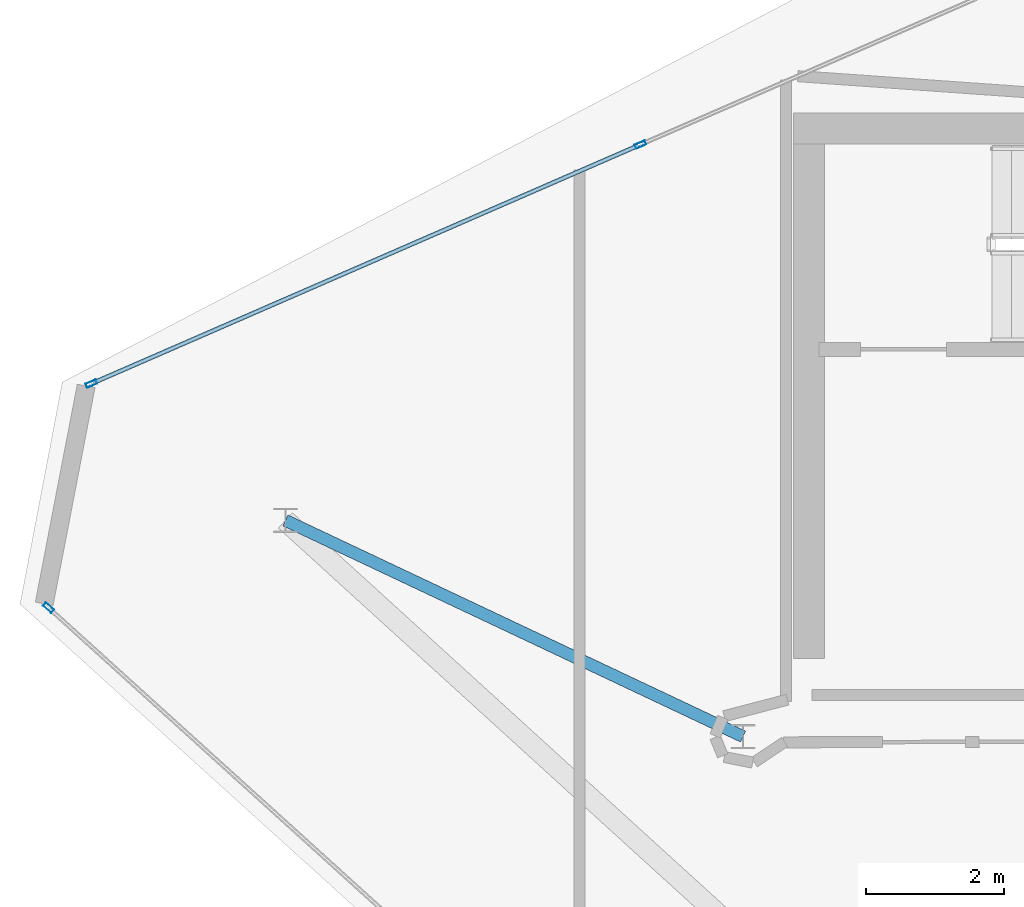
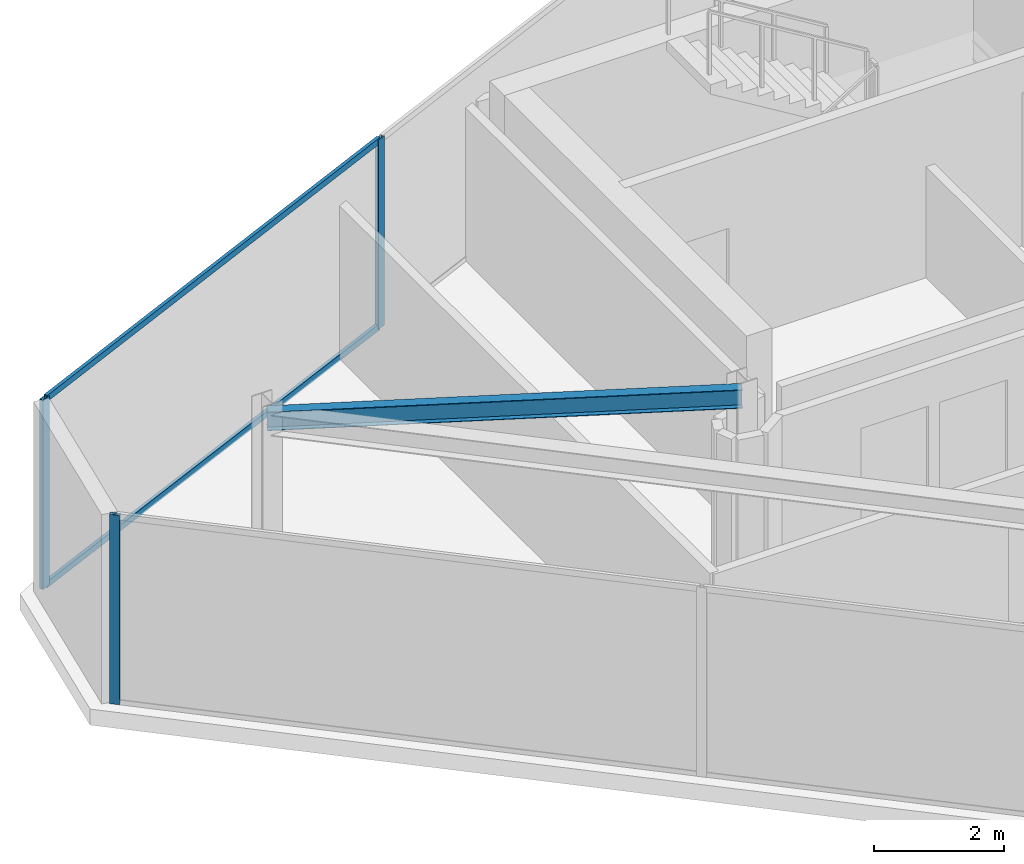
# One storey, part 7 of 14: 5 members, 1 beam, 2 elements without a shape of their own.
"""IFC4 building model written with IfcOpenShell, lengths in metres."""

from ifc_helpers import new_model, si_unit, direction, frame, origin, origin_2d, place, context, subcontext, project, spatial, hollow_rectangle, i_section, extrude, material, layer, layer_set, material_profile, profile_set, type_object, element, aggregate, save


model = new_model("IFC4")

# Units and contexts
model_context = context("Model", 3, precision=1e-05, world=origin(), true_north=direction((0.0, 1.0)))
body_context = subcontext(model_context, "Body", "Model", "MODEL_VIEW")
ifc_project = project(units=[si_unit("LENGTHUNIT", "METRE"), si_unit("AREAUNIT", "SQUARE_METRE"), si_unit("VOLUMEUNIT", "CUBIC_METRE"), si_unit("PLANEANGLEUNIT", "RADIAN"), si_unit("MASSUNIT", "GRAM", prefix="KILO")], contexts=[model_context])

# Site, building, storey
site_placement = place(None, origin())
site = spatial("IfcSite", under=ifc_project, at=site_placement, CompositionType="ELEMENT")
building_placement = place(site_placement, origin())
building = spatial("IfcBuilding", under=site, at=building_placement, Name="Qianvela Tower", CompositionType="ELEMENT")
storey_placement = place(building_placement, frame((0.0, 0.0, 356.300048828125)))
storey = spatial("IfcBuildingStorey", under=building, at=storey_placement, Name="L92", CompositionType="ELEMENT", Elevation=356.300048828125)

# Beam
ifc_material_1 = material(Name="Steel Q355B", Category="steel")
ifc_material_profile_1 = material_profile(ifc_material_1, i_section(OverallWidth=0.175048828125, OverallDepth=0.35009765625, WebThickness=0.007080078125, FlangeThickness=0.010986328125, at=origin_2d()), Name="HN350x175x7x11")
ifc_profile_set_1 = profile_set([ifc_material_profile_1], Name="Steel Q355B")
beam_type = type_object("IfcBeamType", Name="BM-HN350-JOIST", PredefinedType="JOIST", material=ifc_profile_set_1)
beam_placement = place(storey_placement, frame((28.60009765625, 23.85009765625, 3.373046875), z_axis=(-0.904234337574, 0.427036605868, 0.0), x_axis=(-0.427036605868, -0.904234337574, 0.0)))
element("IfcBeam", 1, at=beam_placement, inside=storey, type_object=beam_type, Name="L92 Crown Radial Floor Girder 3", PredefinedType="JOIST", context=body_context, shape_type="SweptSolid", body=[
    extrude(i_section(OverallWidth=0.175048828125, OverallDepth=0.35009765625, WebThickness=0.007080078125, FlangeThickness=0.010986328125, at=origin_2d()), origin(), (0.0, 0.0, 1.0), 7.320068359375),
])

# Curtain wall, members
ifc_material_2 = material(Name="Anodised Architectural Aluminium and Low-E Glass", Category="aluminium")
ifc_layer = layer(ifc_material_2, 0.159912109375)
ifc_layer_set = layer_set([ifc_layer], Name="Anodised Architectural Aluminium and Low-E Glass")
curtain_wall_type = type_object("IfcCurtainWallType", Name="CW-CROWN", PredefinedType="USERDEFINED", material=ifc_layer_set)
curtain_wall_1_placement = place(storey_placement, origin())
curtain_wall_1 = element("IfcCurtainWall", 2, at=curtain_wall_1_placement, inside=storey, type_object=curtain_wall_type, Name="L92 CW-CROWN Curtain Wall 02", ObjectType="CURTAIN_WALL_SYSTEM", PredefinedType="USERDEFINED")
ifc_material_3 = material(Name="Anodised Architectural Aluminium 6063-T6", Category="aluminium")
ifc_material_profile_2 = material_profile(ifc_material_3, hollow_rectangle(XDim=0.06494140625, YDim=0.159912109375, WallThickness=0.0048828125, at=origin_2d()), Name="ALU-MULL-65x160")
ifc_profile_set_2 = profile_set([ifc_material_profile_2], Name="Anodised Architectural Aluminium 6063-T6")
member_type_1 = type_object("IfcMemberType", Name="CW-CROWN-MULL", PredefinedType="MULLION", material=ifc_profile_set_2)
member_1_placement = place(storey_placement, frame((27.11572265625, 32.411865234375, 0.0), z_axis=(0.0, 0.0, 1.0), x_axis=(0.399215073165, -0.916857309159, 0.0)))
member_1 = element("IfcMember", 3, at=member_1_placement, type_object=member_type_1, Name="CW-8 mullion 4", PredefinedType="MULLION", context=body_context, shape_type="SweptSolid", body=[
    extrude(hollow_rectangle(XDim=0.06494140625, YDim=0.159912109375, WallThickness=0.0048828125, at=origin_2d()), origin(), (0.0, 0.0, 1.0), 3.550048828125),
])
member_2_placement = place(storey_placement, frame((19.174072265625, 28.953857421875, 0.0), z_axis=(0.0, 0.0, 1.0), x_axis=(0.399215073165, -0.916857309159, 0.0)))
member_2 = element("IfcMember", 4, at=member_2_placement, type_object=member_type_1, Name="CW-8 mullion 5", PredefinedType="MULLION", context=body_context, shape_type="SweptSolid", body=[
    extrude(hollow_rectangle(XDim=0.06494140625, YDim=0.159912109375, WallThickness=0.0048828125, at=origin_2d()), origin(), (0.0, 0.0, 1.0), 3.550048828125),
])

# Curtain wall, member
curtain_wall_2_placement = place(storey_placement, origin())
curtain_wall_2 = element("IfcCurtainWall", 5, at=curtain_wall_2_placement, inside=storey, type_object=curtain_wall_type, Name="L92 CW-CROWN Curtain Wall 04", ObjectType="CURTAIN_WALL_SYSTEM", PredefinedType="USERDEFINED")
member_3_placement = place(storey_placement, frame((18.552978515625, 25.71435546875, 0.0), z_axis=(0.0, 0.0, 1.0), x_axis=(0.671201978645, 0.741274513162, 0.0)))
member_3 = element("IfcMember", 6, at=member_3_placement, type_object=member_type_1, Name="CW-8 mullion 1", PredefinedType="MULLION", context=body_context, shape_type="SweptSolid", body=[
    extrude(hollow_rectangle(XDim=0.06494140625, YDim=0.159912109375, WallThickness=0.0048828125, at=origin_2d()), origin(), (0.0, 0.0, 1.0), 3.550048828125),
])
aggregate(curtain_wall_2, [member_3])

# Member
ifc_material_4 = material(Name="Anodised Architectural Aluminium 6063-T6", Category="aluminium")
ifc_material_profile_3 = material_profile(ifc_material_4, hollow_rectangle(XDim=0.06005859375, YDim=0.114990234375, WallThickness=0.00390625, at=origin_2d()), Name="ALU-TRAN-60x115")
ifc_profile_set_3 = profile_set([ifc_material_profile_3], Name="Anodised Architectural Aluminium 6063-T6")
member_type_2 = type_object("IfcMemberType", Name="CW-CROWN-TRAN", PredefinedType="USERDEFINED", material=ifc_profile_set_3)
member_4_placement = place(storey_placement, frame((27.0859375, 32.39892578125, 0.030029296875), z_axis=(-0.916861792353, -0.39920477668, 0.0), x_axis=(0.39920477668, -0.916861792353, 0.0)))
member_4 = element("IfcMember", 7, at=member_4_placement, type_object=member_type_2, Name="CW-8 transom 4.1", ObjectType="TRANSOM", PredefinedType="USERDEFINED", context=body_context, shape_type="SweptSolid", body=[
    extrude(hollow_rectangle(XDim=0.06005859375, YDim=0.114990234375, WallThickness=0.00390625, at=origin_2d()), origin(), (0.0, 0.0, 1.0), 8.596923828125),
])

member_5_placement = place(storey_placement, frame((27.0859375, 32.39892578125, 3.52001953125), z_axis=(-0.916861792353, -0.39920477668, 0.0), x_axis=(0.39920477668, -0.916861792353, 0.0)))
member_5 = element("IfcMember", 8, at=member_5_placement, type_object=member_type_2, Name="CW-8 transom 4.2", ObjectType="TRANSOM", PredefinedType="USERDEFINED", context=body_context, shape_type="SweptSolid", body=[
    extrude(hollow_rectangle(XDim=0.06005859375, YDim=0.114990234375, WallThickness=0.00390625, at=origin_2d()), origin(), (0.0, 0.0, 1.0), 8.596923828125),
])

aggregate(curtain_wall_1, [member_1, member_2, member_4, member_5])

save(model, "model.ifc")
